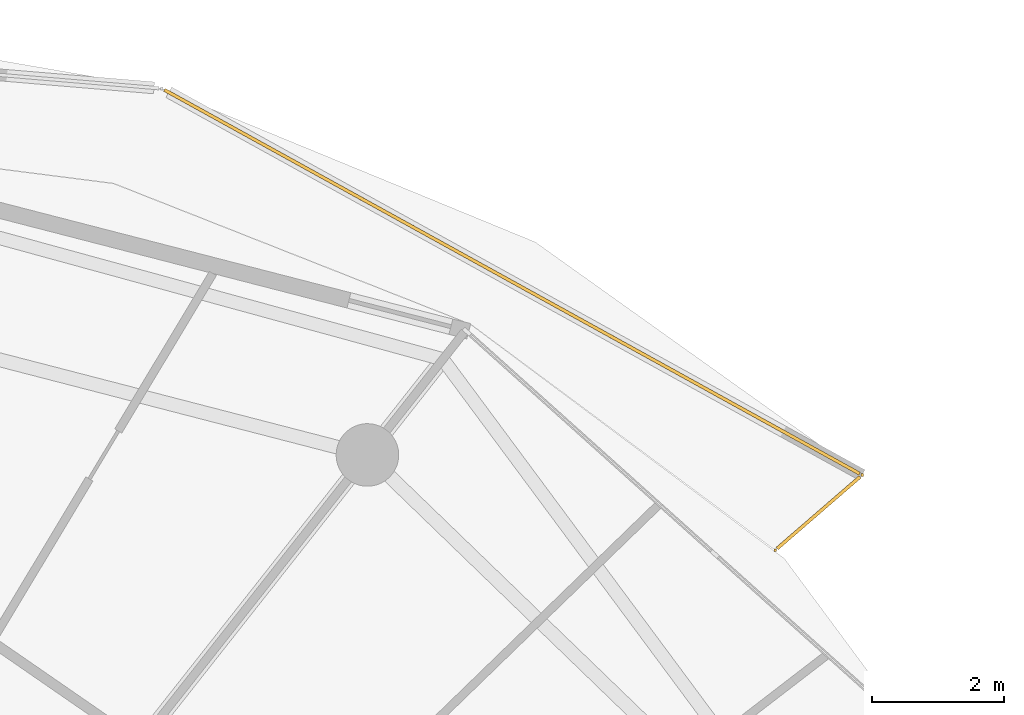
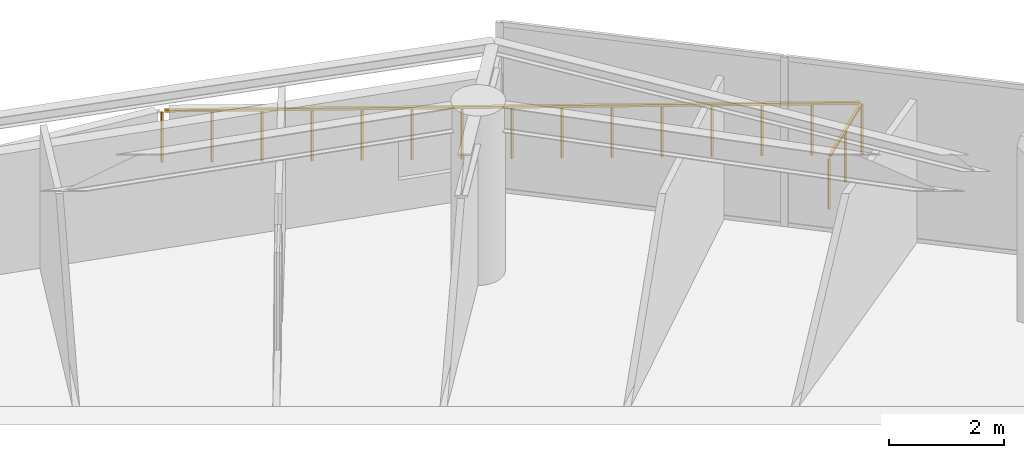
# One storey, part 31 of 31: 2 railings.
"""IFC4 building model written with IfcOpenShell, lengths in metres."""

from ifc_helpers import new_model, si_unit, direction, frame, origin, origin_2d, place, context, subcontext, project, spatial, rectangle, extrude, material, type_object, element, save


model = new_model("IFC4")

# Units and contexts
model_context = context("Model", 3, precision=1e-05, world=origin(), true_north=direction((0.0, 1.0)))
body_context = subcontext(model_context, "Body", "Model", "MODEL_VIEW")
ifc_project = project(units=[si_unit("LENGTHUNIT", "METRE"), si_unit("AREAUNIT", "SQUARE_METRE"), si_unit("VOLUMEUNIT", "CUBIC_METRE"), si_unit("PLANEANGLEUNIT", "RADIAN"), si_unit("MASSUNIT", "GRAM", prefix="KILO")], contexts=[model_context])

# Site, building, storey
site_placement = place(None, origin())
site = spatial("IfcSite", under=ifc_project, at=site_placement, CompositionType="ELEMENT")
building_placement = place(site_placement, origin())
building = spatial("IfcBuilding", under=site, at=building_placement, Name="Kazma Halo Residences", CompositionType="ELEMENT")
storey_placement = place(building_placement, frame((0.0, 0.0, 275.199951171875)))
storey = spatial("IfcBuildingStorey", under=building, at=storey_placement, Name="L69", CompositionType="ELEMENT", Elevation=275.199951171875)

# Railings
ifc_material = material(Name="Aluminium AW-6063 T6 Brushed Cap Rail", Category="aluminium")
railing_type = type_object("IfcRailingType", Name="RLG-BAL-CAP-1120", PredefinedType="BALUSTRADE", material=ifc_material)
railing_1_placement = place(storey_placement, frame((71.0400390625, 61.9228515625, 0.0)))
element("IfcRailing", 1, at=railing_1_placement, inside=storey, type_object=railing_type, Name="L69 NE wave balcony guard 1", PredefinedType="BALUSTRADE", context=body_context, shape_type="SweptSolid", body=[
    extrude(rectangle(XDim=0.050048828125, YDim=0.050048828125, at=origin_2d()), frame((0.0322265625, 0.02783203125, 1.09521484375), z_axis=(0.756417381083, 0.654089248953, 0.0), x_axis=(-0.654089248953, 0.756417381083, 0.0)), (0.0, 0.0, 1.0), 1.661376953125),
    extrude(rectangle(XDim=0.0400390625, YDim=0.0400390625, at=origin_2d()), origin(), (0.0, 0.0, 1.0), 1.05810546875),
    extrude(rectangle(XDim=0.0400390625, YDim=0.0400390625, at=origin_2d()), frame((0.66064453125, 0.5712890625, 0.0)), (0.0, 0.0, 1.0), 1.05810546875),
    extrude(rectangle(XDim=0.0400390625, YDim=0.0400390625, at=origin_2d()), frame((1.321044921875, 1.142333984375, 0.0)), (0.0, 0.0, 1.0), 1.05810546875),
])
railing_2_placement = place(storey_placement, frame((72.361083984375, 63.065185546875, 0.0)))
element("IfcRailing", 2, at=railing_2_placement, inside=storey, type_object=railing_type, Name="L69 NE wave balcony guard 2", PredefinedType="BALUSTRADE", context=body_context, shape_type="SweptSolid", body=[
    extrude(rectangle(XDim=0.050048828125, YDim=0.050048828125, at=origin_2d()), frame((-0.037353515625, 0.0205078125, 1.09521484375), z_axis=(-0.875457487353, 0.483295135334, 0.0), x_axis=(-0.483295135334, -0.875457487353, 0.0)), (0.0, 0.0, 1.0), 12.06396484375),
    extrude(rectangle(XDim=0.0400390625, YDim=0.0400390625, at=origin_2d()), origin(), (0.0, 0.0, 1.0), 1.05810546875),
    extrude(rectangle(XDim=0.0400390625, YDim=0.0400390625, at=origin_2d()), frame((-0.759765625, 0.41943359375, 0.0)), (0.0, 0.0, 1.0), 1.05810546875),
    extrude(rectangle(XDim=0.0400390625, YDim=0.0400390625, at=origin_2d()), frame((-1.51953125, 0.8388671875, 0.0)), (0.0, 0.0, 1.0), 1.05810546875),
    extrude(rectangle(XDim=0.0400390625, YDim=0.0400390625, at=origin_2d()), frame((-2.279052734375, 1.25830078125, 0.0)), (0.0, 0.0, 1.0), 1.05810546875),
    extrude(rectangle(XDim=0.0400390625, YDim=0.0400390625, at=origin_2d()), frame((-3.038818359375, 1.677490234375, 0.0)), (0.0, 0.0, 1.0), 1.05810546875),
    extrude(rectangle(XDim=0.0400390625, YDim=0.0400390625, at=origin_2d()), frame((-3.798583984375, 2.096923828125, 0.0)), (0.0, 0.0, 1.0), 1.05810546875),
    extrude(rectangle(XDim=0.0400390625, YDim=0.0400390625, at=origin_2d()), frame((-4.558349609375, 2.516357421875, 0.0)), (0.0, 0.0, 1.0), 1.05810546875),
    extrude(rectangle(XDim=0.0400390625, YDim=0.0400390625, at=origin_2d()), frame((-5.31787109375, 2.935791015625, 0.0)), (0.0, 0.0, 1.0), 1.05810546875),
    extrude(rectangle(XDim=0.0400390625, YDim=0.0400390625, at=origin_2d()), frame((-6.07763671875, 3.355224609375, 0.0)), (0.0, 0.0, 1.0), 1.05810546875),
    extrude(rectangle(XDim=0.0400390625, YDim=0.0400390625, at=origin_2d()), frame((-6.83740234375, 3.774658203125, 0.0)), (0.0, 0.0, 1.0), 1.05810546875),
    extrude(rectangle(XDim=0.0400390625, YDim=0.0400390625, at=origin_2d()), frame((-7.59716796875, 4.194091796875, 0.0)), (0.0, 0.0, 1.0), 1.05810546875),
    extrude(rectangle(XDim=0.0400390625, YDim=0.0400390625, at=origin_2d()), frame((-8.35693359375, 4.61328125, 0.0)), (0.0, 0.0, 1.0), 1.05810546875),
    extrude(rectangle(XDim=0.0400390625, YDim=0.0400390625, at=origin_2d()), frame((-9.116455078125, 5.03271484375, 0.0)), (0.0, 0.0, 1.0), 1.05810546875),
    extrude(rectangle(XDim=0.0400390625, YDim=0.0400390625, at=origin_2d()), frame((-9.876220703125, 5.4521484375, 0.0)), (0.0, 0.0, 1.0), 1.05810546875),
    extrude(rectangle(XDim=0.0400390625, YDim=0.0400390625, at=origin_2d()), frame((-10.635986328125, 5.87158203125, 0.0)), (0.0, 0.0, 1.0), 1.05810546875),
])

save(model, "model.ifc")
